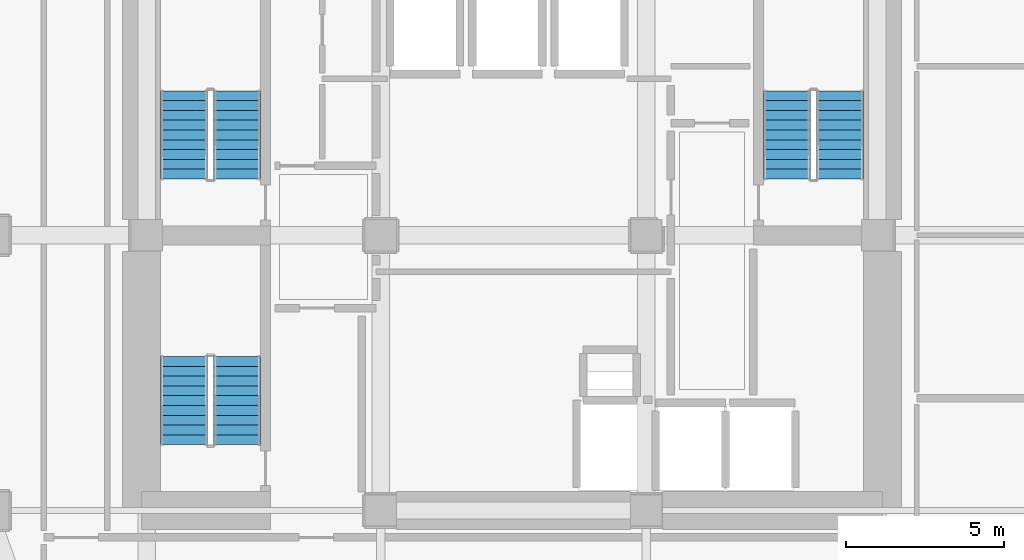
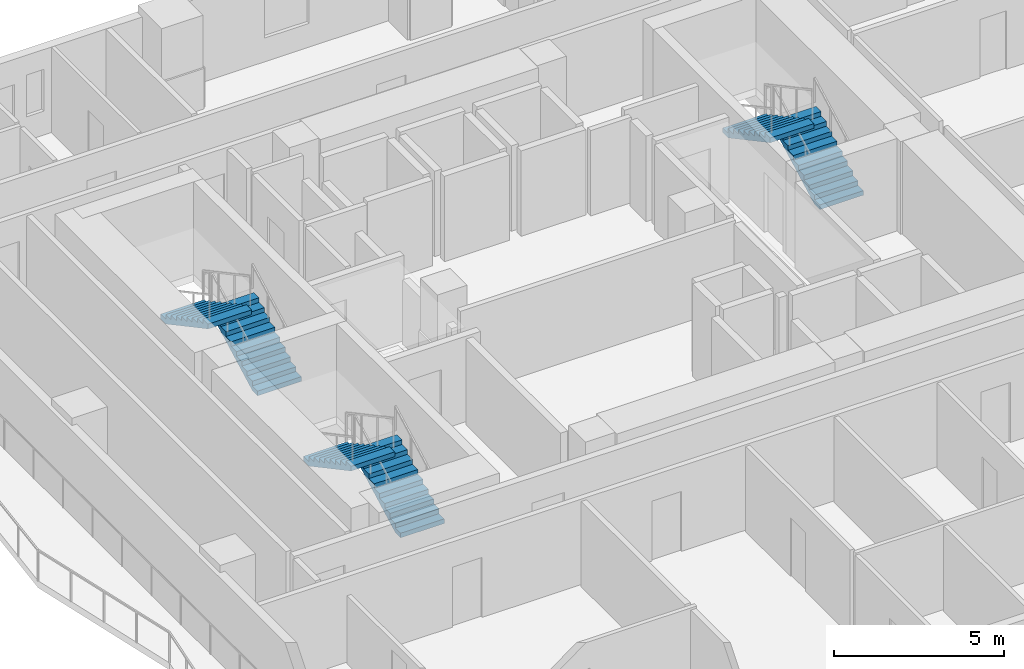
# One storey, part 7 of 10: 6 stair flights, 3 elements without a shape of their own.
"""IFC4 building model written with IfcOpenShell, lengths in metres."""

from ifc_helpers import new_model, si_unit, direction, frame, origin, place, context, subcontext, project, spatial, polyline, outline, extrude, material, type_object, element, aggregate, save


model = new_model("IFC4")

# Units and contexts
model_context = context("Model", 3, precision=1e-05, world=origin(), true_north=direction((0.0, 1.0)))
body_context = subcontext(model_context, "Body", "Model", "MODEL_VIEW")
ifc_project = project(units=[si_unit("LENGTHUNIT", "METRE"), si_unit("AREAUNIT", "SQUARE_METRE"), si_unit("VOLUMEUNIT", "CUBIC_METRE"), si_unit("PLANEANGLEUNIT", "RADIAN"), si_unit("MASSUNIT", "GRAM", prefix="KILO")], contexts=[model_context])

# Site, building, storey
site_placement = place(None, origin())
site = spatial("IfcSite", under=ifc_project, at=site_placement, CompositionType="ELEMENT")
building_placement = place(site_placement, origin())
building = spatial("IfcBuilding", under=site, at=building_placement, Name="Solanera Arch Residences", CompositionType="ELEMENT")
storey_placement = place(building_placement, frame((0.0, 0.0, 45.239990234375)))
storey = spatial("IfcBuildingStorey", under=building, at=storey_placement, Name="L12", CompositionType="ELEMENT", Elevation=45.239990234375)

# Stair, stair flights
ifc_material_1 = material(Name="Concrete C40/50 (f'c = 45 MPa)", Category="concrete")
stair_type = type_object("IfcStairType", Name="Tower Dogleg Exit Stair 1480", PredefinedType="HALF_TURN_STAIR", material=ifc_material_1)
stair_1_placement = place(storey_placement, origin())
stair_1 = element("IfcStair", 1, at=stair_1_placement, inside=storey, type_object=stair_type, Name="L12 Tower Core Exit Stair 1", PredefinedType="HALF_TURN_STAIR")
ifc_material_2 = material(Name="Concrete C40/50 (f'c = 45 MPa)", Category="concrete")
stair_flight_type = type_object("IfcStairFlightType", Name="Tower Precast Stair Flight 1480", PredefinedType="STRAIGHT", material=ifc_material_2)
stair_flight_1_placement = place(storey_placement, frame((16.260009765625, 32.47998046875, 0.0), z_axis=(0.0, 0.0, 1.0), x_axis=(0.0, 1.0, 0.0)))
stair_flight_1 = element("IfcStairFlight", 2, at=stair_flight_1_placement, type_object=stair_flight_type, Name="ST-T1 flight 1", NumberOfRisers=10, NumberOfTreads=9, PredefinedType="STRAIGHT", RiserHeight=0.166, TreadLength=0.31, context=body_context, shape_type="SweptSolid", body=[
    extrude(outline(polyline([(0.0, 0.0), (0.0, 0.166015625), (0.31005859375, 0.166015625), (0.31005859375, 0.33203125), (0.6201171875, 0.33203125), (0.6201171875, 0.498046875), (0.929931640625, 0.498046875), (0.929931640625, 0.6640625), (1.239990234375, 0.6640625), (1.239990234375, 0.830078125), (1.550048828125, 0.830078125), (1.550048828125, 0.99609375), (1.860107421875, 0.99609375), (1.860107421875, 1.162109375), (2.169921875, 1.162109375), (2.169921875, 1.327880859375), (2.47998046875, 1.327880859375), (2.47998046875, 1.493896484375), (2.7900390625, 1.493896484375), (2.7900390625, 1.659912109375), (2.7900390625, 1.323974609375), (0.317626953125, 0.0), (0.0, 0.0)])), frame((0.0, 0.739990234375, 0.0), z_axis=(0.0, -1.0, 0.0), x_axis=(1.0, 0.0, 0.0)), (0.0, 0.0, 1.0), 1.47998046875),
])
stair_flight_2_placement = place(storey_placement, frame((14.580078125, 35.27001953125, 1.659912109375), z_axis=(0.0, 0.0, 1.0), x_axis=(0.0, -1.0, 0.0)))
stair_flight_2 = element("IfcStairFlight", 3, at=stair_flight_2_placement, type_object=stair_flight_type, Name="ST-T1 flight 2", NumberOfRisers=10, NumberOfTreads=9, PredefinedType="STRAIGHT", RiserHeight=0.166, TreadLength=0.31, context=body_context, shape_type="SweptSolid", body=[
    extrude(outline(polyline([(0.0, 0.0), (0.0, 0.166015625), (0.31005859375, 0.166015625), (0.31005859375, 0.33203125), (0.6201171875, 0.33203125), (0.6201171875, 0.498046875), (0.929931640625, 0.498046875), (0.929931640625, 0.6640625), (1.239990234375, 0.6640625), (1.239990234375, 0.830078125), (1.550048828125, 0.830078125), (1.550048828125, 0.99609375), (1.860107421875, 0.99609375), (1.860107421875, 1.162109375), (2.169921875, 1.162109375), (2.169921875, 1.327880859375), (2.47998046875, 1.327880859375), (2.47998046875, 1.493896484375), (2.7900390625, 1.493896484375), (2.7900390625, 1.659912109375), (2.7900390625, 1.323974609375), (0.317626953125, 0.0), (0.0, 0.0)])), frame((0.0, 0.739990234375, 0.0), z_axis=(0.0, -1.0, 0.0), x_axis=(1.0, 0.0, 0.0)), (0.0, 0.0, 1.0), 1.47998046875),
])
aggregate(stair_1, [stair_flight_1, stair_flight_2])

stair_2_placement = place(storey_placement, origin())
stair_2 = element("IfcStair", 4, at=stair_2_placement, inside=storey, type_object=stair_type, Name="L12 Tower Core Exit Stair 2", PredefinedType="HALF_TURN_STAIR")
stair_flight_3_placement = place(storey_placement, frame((35.320068359375, 32.47998046875, 0.0), z_axis=(0.0, 0.0, 1.0), x_axis=(0.0, 1.0, 0.0)))
stair_flight_3 = element("IfcStairFlight", 5, at=stair_flight_3_placement, type_object=stair_flight_type, Name="ST-T2 flight 1", NumberOfRisers=10, NumberOfTreads=9, PredefinedType="STRAIGHT", RiserHeight=0.166, TreadLength=0.31, context=body_context, shape_type="SweptSolid", body=[
    extrude(outline(polyline([(0.0, 0.0), (0.0, 0.166015625), (0.31005859375, 0.166015625), (0.31005859375, 0.33203125), (0.6201171875, 0.33203125), (0.6201171875, 0.498046875), (0.929931640625, 0.498046875), (0.929931640625, 0.6640625), (1.239990234375, 0.6640625), (1.239990234375, 0.830078125), (1.550048828125, 0.830078125), (1.550048828125, 0.99609375), (1.860107421875, 0.99609375), (1.860107421875, 1.162109375), (2.169921875, 1.162109375), (2.169921875, 1.327880859375), (2.47998046875, 1.327880859375), (2.47998046875, 1.493896484375), (2.7900390625, 1.493896484375), (2.7900390625, 1.659912109375), (2.7900390625, 1.323974609375), (0.317626953125, 0.0), (0.0, 0.0)])), frame((0.0, 0.739990234375, 0.0), z_axis=(0.0, -1.0, 0.0), x_axis=(1.0, 0.0, 0.0)), (0.0, 0.0, 1.0), 1.47998046875),
])
stair_flight_4_placement = place(storey_placement, frame((33.639892578125, 35.27001953125, 1.659912109375), z_axis=(0.0, 0.0, 1.0), x_axis=(0.0, -1.0, 0.0)))
stair_flight_4 = element("IfcStairFlight", 6, at=stair_flight_4_placement, type_object=stair_flight_type, Name="ST-T2 flight 2", NumberOfRisers=10, NumberOfTreads=9, PredefinedType="STRAIGHT", RiserHeight=0.166, TreadLength=0.31, context=body_context, shape_type="SweptSolid", body=[
    extrude(outline(polyline([(0.0, 0.0), (0.0, 0.166015625), (0.31005859375, 0.166015625), (0.31005859375, 0.33203125), (0.6201171875, 0.33203125), (0.6201171875, 0.498046875), (0.929931640625, 0.498046875), (0.929931640625, 0.6640625), (1.239990234375, 0.6640625), (1.239990234375, 0.830078125), (1.550048828125, 0.830078125), (1.550048828125, 0.99609375), (1.860107421875, 0.99609375), (1.860107421875, 1.162109375), (2.169921875, 1.162109375), (2.169921875, 1.327880859375), (2.47998046875, 1.327880859375), (2.47998046875, 1.493896484375), (2.7900390625, 1.493896484375), (2.7900390625, 1.659912109375), (2.7900390625, 1.323974609375), (0.317626953125, 0.0), (0.0, 0.0)])), frame((0.0, 0.739990234375, 0.0), z_axis=(0.0, -1.0, 0.0), x_axis=(1.0, 0.0, 0.0)), (0.0, 0.0, 1.0), 1.47998046875),
])
aggregate(stair_2, [stair_flight_3, stair_flight_4])

stair_3_placement = place(storey_placement, origin())
stair_3 = element("IfcStair", 7, at=stair_3_placement, inside=storey, type_object=stair_type, Name="L12 Tower Core Exit Stair 3", PredefinedType="HALF_TURN_STAIR")
stair_flight_5_placement = place(storey_placement, frame((16.260009765625, 24.080078125, 0.0), z_axis=(0.0, 0.0, 1.0), x_axis=(0.0, 1.0, 0.0)))
stair_flight_5 = element("IfcStairFlight", 8, at=stair_flight_5_placement, type_object=stair_flight_type, Name="ST-T3 flight 1", NumberOfRisers=10, NumberOfTreads=9, PredefinedType="STRAIGHT", RiserHeight=0.166, TreadLength=0.31, context=body_context, shape_type="SweptSolid", body=[
    extrude(outline(polyline([(0.0, 0.0), (0.0, 0.166015625), (0.31005859375, 0.166015625), (0.31005859375, 0.33203125), (0.6201171875, 0.33203125), (0.6201171875, 0.498046875), (0.929931640625, 0.498046875), (0.929931640625, 0.6640625), (1.239990234375, 0.6640625), (1.239990234375, 0.830078125), (1.550048828125, 0.830078125), (1.550048828125, 0.99609375), (1.860107421875, 0.99609375), (1.860107421875, 1.162109375), (2.169921875, 1.162109375), (2.169921875, 1.327880859375), (2.47998046875, 1.327880859375), (2.47998046875, 1.493896484375), (2.7900390625, 1.493896484375), (2.7900390625, 1.659912109375), (2.7900390625, 1.323974609375), (0.317626953125, 0.0), (0.0, 0.0)])), frame((0.0, 0.739990234375, 0.0), z_axis=(0.0, -1.0, 0.0), x_axis=(1.0, 0.0, 0.0)), (0.0, 0.0, 1.0), 1.47998046875),
])
stair_flight_6_placement = place(storey_placement, frame((14.580078125, 26.8701171875, 1.659912109375), z_axis=(0.0, 0.0, 1.0), x_axis=(0.0, -1.0, 0.0)))
stair_flight_6 = element("IfcStairFlight", 9, at=stair_flight_6_placement, type_object=stair_flight_type, Name="ST-T3 flight 2", NumberOfRisers=10, NumberOfTreads=9, PredefinedType="STRAIGHT", RiserHeight=0.166, TreadLength=0.31, context=body_context, shape_type="SweptSolid", body=[
    extrude(outline(polyline([(0.0, 0.0), (0.0, 0.166015625), (0.31005859375, 0.166015625), (0.31005859375, 0.33203125), (0.6201171875, 0.33203125), (0.6201171875, 0.498046875), (0.929931640625, 0.498046875), (0.929931640625, 0.6640625), (1.239990234375, 0.6640625), (1.239990234375, 0.830078125), (1.550048828125, 0.830078125), (1.550048828125, 0.99609375), (1.860107421875, 0.99609375), (1.860107421875, 1.162109375), (2.169921875, 1.162109375), (2.169921875, 1.327880859375), (2.47998046875, 1.327880859375), (2.47998046875, 1.493896484375), (2.7900390625, 1.493896484375), (2.7900390625, 1.659912109375), (2.7900390625, 1.323974609375), (0.317626953125, 0.0), (0.0, 0.0)])), frame((0.0, 0.739990234375, 0.0), z_axis=(0.0, -1.0, 0.0), x_axis=(1.0, 0.0, 0.0)), (0.0, 0.0, 1.0), 1.47998046875),
])
aggregate(stair_3, [stair_flight_5, stair_flight_6])

save(model, "model.ifc")
